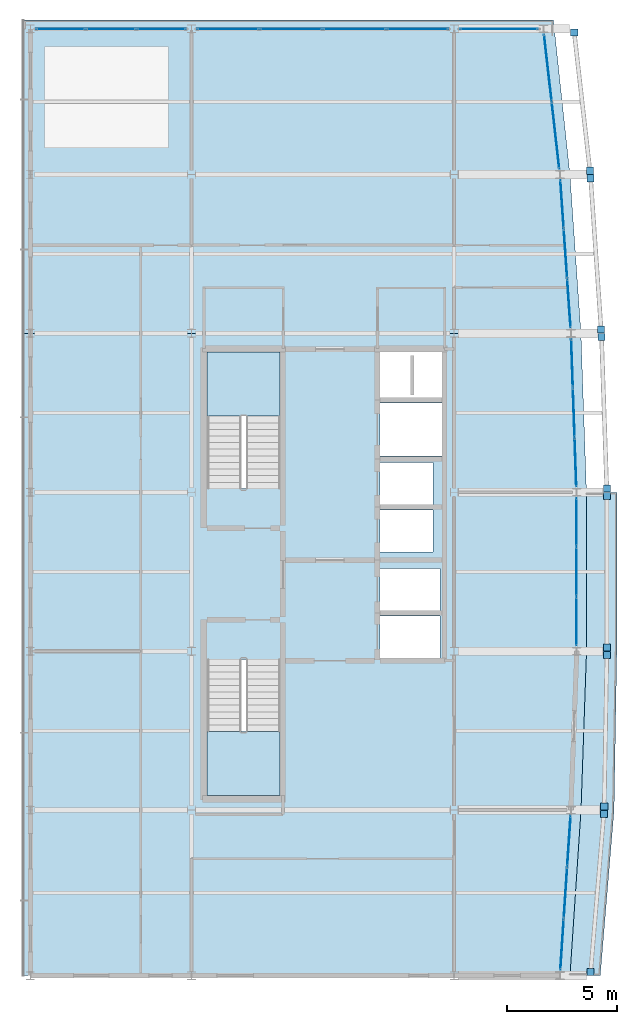
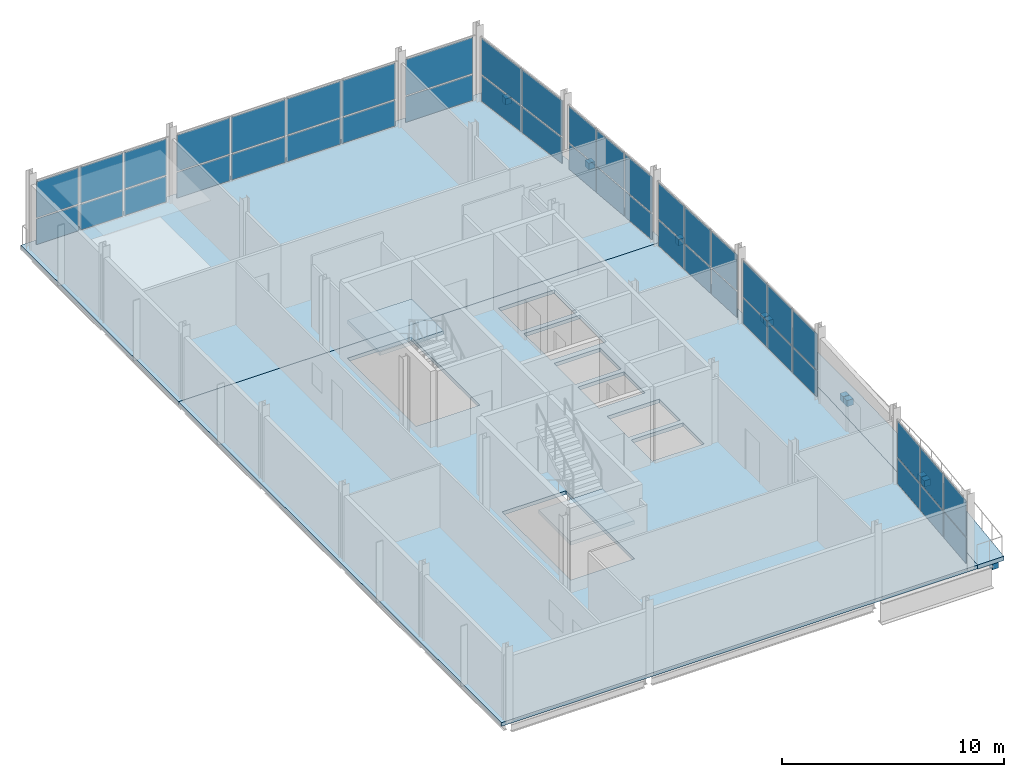
# One storey, part 10 of 17: 56 plates, 5 slabs, 10 elements without a shape of their own.
"""IFC4 building model written with IfcOpenShell, lengths in metres."""

from ifc_helpers import new_model, si_unit, direction, frame, origin, origin_2d, place, context, subcontext, project, spatial, polyline, rectangle, outline, extrude, material, layer, layer_set, type_object, element, aggregate, save


model = new_model("IFC4")

# Units and contexts
model_context = context("Model", 3, precision=1e-05, world=origin(), true_north=direction((0.0, 1.0)))
body_context = subcontext(model_context, "Body", "Model", "MODEL_VIEW")
ifc_project = project(units=[si_unit("LENGTHUNIT", "METRE"), si_unit("AREAUNIT", "SQUARE_METRE"), si_unit("VOLUMEUNIT", "CUBIC_METRE"), si_unit("PLANEANGLEUNIT", "RADIAN"), si_unit("MASSUNIT", "GRAM", prefix="KILO")], contexts=[model_context])

# Site, building, storey
site_placement = place(None, origin())
site = spatial("IfcSite", under=ifc_project, at=site_placement, CompositionType="ELEMENT")
building_placement = place(site_placement, origin())
building = spatial("IfcBuilding", under=site, at=building_placement, Name="Quillay Park Conservatory", CompositionType="ELEMENT")
storey_placement = place(building_placement, frame((0.0, 0.0, 47.699951171875)))
storey = spatial("IfcBuildingStorey", under=building, at=storey_placement, Name="L11", CompositionType="ELEMENT", Elevation=47.699951171875)

# Curtain wall, plates
ifc_material_1 = material(Name="Thermally Broken Anodised Aluminium 6063-T6", Category="aluminium")
ifc_layer_1 = layer(ifc_material_1, 0.179931640625)
ifc_layer_set_1 = layer_set([ifc_layer_1], Name="UNITISED CURTAIN WALL TOWER (Thermally Broken Anodised Aluminium 6063-T6)")
curtain_wall_type = type_object("IfcCurtainWallType", Name="UNITISED CURTAIN WALL TOWER", PredefinedType="USERDEFINED", material=ifc_layer_set_1)
curtain_wall_1_placement = place(storey_placement, origin())
curtain_wall_1 = element("IfcCurtainWall", 1, at=curtain_wall_1_placement, inside=storey, type_object=curtain_wall_type, Name="L11 Unitised Curtain Wall 105", ObjectType="UNITISED CURTAIN WALL", PredefinedType="USERDEFINED")
ifc_material_2 = material(Name="Low-E Double Glazing (Laminated Tempered)", Category="glass")
ifc_layer_2 = layer(ifc_material_2, 0.028076171875)
ifc_layer_set_2 = layer_set([ifc_layer_2], Name="CURTAIN WALL GLAZED PANEL 28 (Low-E Double Glazing (Laminated Tempered))")
plate_type_1 = type_object("IfcPlateType", Name="CURTAIN WALL GLAZED PANEL 28", PredefinedType="CURTAIN_PANEL", material=ifc_layer_set_2)
plate_1_placement = place(storey_placement, frame((24.95654296875, 76.599365234375, 0.0703125), z_axis=(0.0, 0.0, 1.0), x_axis=(-0.0665208758, -0.997785033503, 0.0)))
plate_1 = element("IfcPlate", 2, at=plate_1_placement, type_object=plate_type_1, Name="CW-T1 panel 1.1", PredefinedType="CURTAIN_PANEL", context=body_context, shape_type="SweptSolid", body=[
    extrude(rectangle(XDim=2.26708984375, YDim=0.028076171875, at=origin_2d()), origin(), (0.0, 0.0, 1.0), 1.406494140625),
])
plate_2_placement = place(storey_placement, frame((24.95654296875, 76.599365234375, 1.546630859375), z_axis=(0.0, 0.0, 1.0), x_axis=(-0.0665208758, -0.997785033503, 0.0)))
plate_2 = element("IfcPlate", 3, at=plate_2_placement, type_object=plate_type_1, Name="CW-T1 panel 1.2", PredefinedType="CURTAIN_PANEL", context=body_context, shape_type="SweptSolid", body=[
    extrude(rectangle(XDim=2.26708984375, YDim=0.028076171875, at=origin_2d()), origin(), (0.0, 0.0, 1.0), 1.982421875),
])
plate_3_placement = place(storey_placement, frame((24.800048828125, 74.25, 0.0703125), z_axis=(0.0, 0.0, 1.0), x_axis=(-0.0665208758, -0.997785033503, 0.0)))
plate_3 = element("IfcPlate", 4, at=plate_3_placement, type_object=plate_type_1, Name="CW-T1 panel 2.1", PredefinedType="CURTAIN_PANEL", context=body_context, shape_type="SweptSolid", body=[
    extrude(rectangle(XDim=2.30224609375, YDim=0.028076171875, at=origin_2d()), origin(), (0.0, 0.0, 1.0), 1.406494140625),
])
plate_4_placement = place(storey_placement, frame((24.800048828125, 74.25, 1.546630859375), z_axis=(0.0, 0.0, 1.0), x_axis=(-0.0665208758, -0.997785033503, 0.0)))
plate_4 = element("IfcPlate", 5, at=plate_4_placement, type_object=plate_type_1, Name="CW-T1 panel 2.2", PredefinedType="CURTAIN_PANEL", context=body_context, shape_type="SweptSolid", body=[
    extrude(rectangle(XDim=2.30224609375, YDim=0.028076171875, at=origin_2d()), origin(), (0.0, 0.0, 1.0), 1.982421875),
])
plate_5_placement = place(storey_placement, frame((24.643310546875, 71.900634765625, 0.0703125), z_axis=(0.0, 0.0, 1.0), x_axis=(-0.0665208758, -0.997785033503, 0.0)))
plate_5 = element("IfcPlate", 6, at=plate_5_placement, type_object=plate_type_1, Name="CW-T1 panel 3.1", PredefinedType="CURTAIN_PANEL", context=body_context, shape_type="SweptSolid", body=[
    extrude(rectangle(XDim=2.26708984375, YDim=0.028076171875, at=origin_2d()), origin(), (0.0, 0.0, 1.0), 1.406494140625),
])
plate_6_placement = place(storey_placement, frame((24.643310546875, 71.900634765625, 1.546630859375), z_axis=(0.0, 0.0, 1.0), x_axis=(-0.0665208758, -0.997785033503, 0.0)))
plate_6 = element("IfcPlate", 7, at=plate_6_placement, type_object=plate_type_1, Name="CW-T1 panel 3.2", PredefinedType="CURTAIN_PANEL", context=body_context, shape_type="SweptSolid", body=[
    extrude(rectangle(XDim=2.26708984375, YDim=0.028076171875, at=origin_2d()), origin(), (0.0, 0.0, 1.0), 1.982421875),
])
aggregate(curtain_wall_1, [plate_1, plate_2, plate_3, plate_4, plate_5, plate_6])

curtain_wall_2_placement = place(storey_placement, origin())
curtain_wall_2 = element("IfcCurtainWall", 8, at=curtain_wall_2_placement, inside=storey, type_object=curtain_wall_type, Name="L11 Unitised Curtain Wall 106", ObjectType="UNITISED CURTAIN WALL", PredefinedType="USERDEFINED")
plate_7_placement = place(storey_placement, frame((25.300048828125, 91.049072265625, 0.0703125), z_axis=(0.0, 0.0, 1.0), x_axis=(0.0, -1.0, 0.0)))
plate_7 = element("IfcPlate", 9, at=plate_7_placement, type_object=plate_type_1, Name="CW-T1 panel 1.1", PredefinedType="CURTAIN_PANEL", context=body_context, shape_type="SweptSolid", body=[
    extrude(rectangle(XDim=2.16162109375, YDim=0.028076171875, at=origin_2d()), origin(), (0.0, 0.0, 1.0), 1.406494140625),
])
plate_8_placement = place(storey_placement, frame((25.300048828125, 91.049072265625, 1.546630859375), z_axis=(0.0, 0.0, 1.0), x_axis=(0.0, -1.0, 0.0)))
plate_8 = element("IfcPlate", 10, at=plate_8_placement, type_object=plate_type_1, Name="CW-T1 panel 1.2", PredefinedType="CURTAIN_PANEL", context=body_context, shape_type="SweptSolid", body=[
    extrude(rectangle(XDim=2.16162109375, YDim=0.028076171875, at=origin_2d()), origin(), (0.0, 0.0, 1.0), 1.982421875),
])
plate_9_placement = place(storey_placement, frame((25.300048828125, 88.800048828125, 0.0703125), z_axis=(0.0, 0.0, 1.0), x_axis=(0.0, -1.0, 0.0)))
plate_9 = element("IfcPlate", 11, at=plate_9_placement, type_object=plate_type_1, Name="CW-T1 panel 2.1", PredefinedType="CURTAIN_PANEL", context=body_context, shape_type="SweptSolid", body=[
    extrude(rectangle(XDim=2.19677734375, YDim=0.028076171875, at=origin_2d()), origin(), (0.0, 0.0, 1.0), 1.406494140625),
])
plate_10_placement = place(storey_placement, frame((25.300048828125, 88.800048828125, 1.546630859375), z_axis=(0.0, 0.0, 1.0), x_axis=(0.0, -1.0, 0.0)))
plate_10 = element("IfcPlate", 12, at=plate_10_placement, type_object=plate_type_1, Name="CW-T1 panel 2.2", PredefinedType="CURTAIN_PANEL", context=body_context, shape_type="SweptSolid", body=[
    extrude(rectangle(XDim=2.19677734375, YDim=0.028076171875, at=origin_2d()), origin(), (0.0, 0.0, 1.0), 1.982421875),
])
plate_11_placement = place(storey_placement, frame((25.300048828125, 86.55078125, 0.0703125), z_axis=(0.0, 0.0, 1.0), x_axis=(0.0, -1.0, 0.0)))
plate_11 = element("IfcPlate", 13, at=plate_11_placement, type_object=plate_type_1, Name="CW-T1 panel 3.1", PredefinedType="CURTAIN_PANEL", context=body_context, shape_type="SweptSolid", body=[
    extrude(rectangle(XDim=2.16162109375, YDim=0.028076171875, at=origin_2d()), origin(), (0.0, 0.0, 1.0), 1.406494140625),
])
plate_12_placement = place(storey_placement, frame((25.300048828125, 86.55078125, 1.546630859375), z_axis=(0.0, 0.0, 1.0), x_axis=(0.0, -1.0, 0.0)))
plate_12 = element("IfcPlate", 14, at=plate_12_placement, type_object=plate_type_1, Name="CW-T1 panel 3.2", PredefinedType="CURTAIN_PANEL", context=body_context, shape_type="SweptSolid", body=[
    extrude(rectangle(XDim=2.16162109375, YDim=0.028076171875, at=origin_2d()), origin(), (0.0, 0.0, 1.0), 1.982421875),
])
aggregate(curtain_wall_2, [plate_7, plate_8, plate_9, plate_10, plate_11, plate_12])

curtain_wall_3_placement = place(storey_placement, origin())
curtain_wall_3 = element("IfcCurtainWall", 15, at=curtain_wall_3_placement, inside=storey, type_object=curtain_wall_type, Name="L11 Unitised Curtain Wall 107", ObjectType="UNITISED CURTAIN WALL", PredefinedType="USERDEFINED")
plate_13_placement = place(storey_placement, frame((25.096923828125, 98.249267578125, 0.0703125), z_axis=(0.0, 0.0, 1.0), x_axis=(0.034713338537, -0.999397310446, 0.0)))
plate_13 = element("IfcPlate", 16, at=plate_13_placement, type_object=plate_type_1, Name="CW-T1 panel 1.1", PredefinedType="CURTAIN_PANEL", context=body_context, shape_type="SweptSolid", body=[
    extrude(rectangle(XDim=2.1630859375, YDim=0.028076171875, at=origin_2d()), origin(), (0.0, 0.0, 1.0), 1.406494140625),
])
plate_14_placement = place(storey_placement, frame((25.096923828125, 98.249267578125, 1.546630859375), z_axis=(0.0, 0.0, 1.0), x_axis=(0.034713338537, -0.999397310446, 0.0)))
plate_14 = element("IfcPlate", 17, at=plate_14_placement, type_object=plate_type_1, Name="CW-T1 panel 1.2", PredefinedType="CURTAIN_PANEL", context=body_context, shape_type="SweptSolid", body=[
    extrude(rectangle(XDim=2.1630859375, YDim=0.028076171875, at=origin_2d()), origin(), (0.0, 0.0, 1.0), 1.982421875),
])
plate_15_placement = place(storey_placement, frame((25.175048828125, 96.0, 0.0703125), z_axis=(0.0, 0.0, 1.0), x_axis=(0.034713338537, -0.999397310446, 0.0)))
plate_15 = element("IfcPlate", 18, at=plate_15_placement, type_object=plate_type_1, Name="CW-T1 panel 2.1", PredefinedType="CURTAIN_PANEL", context=body_context, shape_type="SweptSolid", body=[
    extrude(rectangle(XDim=2.197998046875, YDim=0.028076171875, at=origin_2d()), origin(), (0.0, 0.0, 1.0), 1.406494140625),
])
plate_16_placement = place(storey_placement, frame((25.175048828125, 96.0, 1.546630859375), z_axis=(0.0, 0.0, 1.0), x_axis=(0.034713338537, -0.999397310446, 0.0)))
plate_16 = element("IfcPlate", 19, at=plate_16_placement, type_object=plate_type_1, Name="CW-T1 panel 2.2", PredefinedType="CURTAIN_PANEL", context=body_context, shape_type="SweptSolid", body=[
    extrude(rectangle(XDim=2.197998046875, YDim=0.028076171875, at=origin_2d()), origin(), (0.0, 0.0, 1.0), 1.982421875),
])
plate_17_placement = place(storey_placement, frame((25.253173828125, 93.750732421875, 0.0703125), z_axis=(0.0, 0.0, 1.0), x_axis=(0.034713338537, -0.999397310446, 0.0)))
plate_17 = element("IfcPlate", 20, at=plate_17_placement, type_object=plate_type_1, Name="CW-T1 panel 3.1", PredefinedType="CURTAIN_PANEL", context=body_context, shape_type="SweptSolid", body=[
    extrude(rectangle(XDim=2.1630859375, YDim=0.028076171875, at=origin_2d()), origin(), (0.0, 0.0, 1.0), 1.406494140625),
])
plate_18_placement = place(storey_placement, frame((25.253173828125, 93.750732421875, 1.546630859375), z_axis=(0.0, 0.0, 1.0), x_axis=(0.034713338537, -0.999397310446, 0.0)))
plate_18 = element("IfcPlate", 21, at=plate_18_placement, type_object=plate_type_1, Name="CW-T1 panel 3.2", PredefinedType="CURTAIN_PANEL", context=body_context, shape_type="SweptSolid", body=[
    extrude(rectangle(XDim=2.1630859375, YDim=0.028076171875, at=origin_2d()), origin(), (0.0, 0.0, 1.0), 1.982421875),
])
aggregate(curtain_wall_3, [plate_13, plate_14, plate_15, plate_16, plate_17, plate_18])

curtain_wall_4_placement = place(storey_placement, origin())
curtain_wall_4 = element("IfcCurtainWall", 22, at=curtain_wall_4_placement, inside=storey, type_object=curtain_wall_type, Name="L11 Unitised Curtain Wall 108", ObjectType="UNITISED CURTAIN WALL", PredefinedType="USERDEFINED")
plate_19_placement = place(storey_placement, frame((24.643798828125, 105.449462890625, 0.0703125), z_axis=(0.0, 0.0, 1.0), x_axis=(0.069264217159, -0.99759835015, 0.0)))
plate_19 = element("IfcPlate", 23, at=plate_19_placement, type_object=plate_type_1, Name="CW-T1 panel 1.1", PredefinedType="CURTAIN_PANEL", context=body_context, shape_type="SweptSolid", body=[
    extrude(rectangle(XDim=2.16748046875, YDim=0.028076171875, at=origin_2d()), origin(), (0.0, 0.0, 1.0), 1.406494140625),
])
plate_20_placement = place(storey_placement, frame((24.643798828125, 105.449462890625, 1.546630859375), z_axis=(0.0, 0.0, 1.0), x_axis=(0.069264217159, -0.99759835015, 0.0)))
plate_20 = element("IfcPlate", 24, at=plate_20_placement, type_object=plate_type_1, Name="CW-T1 panel 1.2", PredefinedType="CURTAIN_PANEL", context=body_context, shape_type="SweptSolid", body=[
    extrude(rectangle(XDim=2.16748046875, YDim=0.028076171875, at=origin_2d()), origin(), (0.0, 0.0, 1.0), 1.982421875),
])
plate_21_placement = place(storey_placement, frame((24.800048828125, 103.199951171875, 0.0703125), z_axis=(0.0, 0.0, 1.0), x_axis=(0.069264217159, -0.99759835015, 0.0)))
plate_21 = element("IfcPlate", 25, at=plate_21_placement, type_object=plate_type_1, Name="CW-T1 panel 2.1", PredefinedType="CURTAIN_PANEL", context=body_context, shape_type="SweptSolid", body=[
    extrude(rectangle(XDim=2.202392578125, YDim=0.028076171875, at=origin_2d()), origin(), (0.0, 0.0, 1.0), 1.406494140625),
])
plate_22_placement = place(storey_placement, frame((24.800048828125, 103.199951171875, 1.546630859375), z_axis=(0.0, 0.0, 1.0), x_axis=(0.069264217159, -0.99759835015, 0.0)))
plate_22 = element("IfcPlate", 26, at=plate_22_placement, type_object=plate_type_1, Name="CW-T1 panel 2.2", PredefinedType="CURTAIN_PANEL", context=body_context, shape_type="SweptSolid", body=[
    extrude(rectangle(XDim=2.202392578125, YDim=0.028076171875, at=origin_2d()), origin(), (0.0, 0.0, 1.0), 1.982421875),
])
plate_23_placement = place(storey_placement, frame((24.956298828125, 100.950439453125, 0.0703125), z_axis=(0.0, 0.0, 1.0), x_axis=(0.069264217159, -0.99759835015, 0.0)))
plate_23 = element("IfcPlate", 27, at=plate_23_placement, type_object=plate_type_1, Name="CW-T1 panel 3.1", PredefinedType="CURTAIN_PANEL", context=body_context, shape_type="SweptSolid", body=[
    extrude(rectangle(XDim=2.16748046875, YDim=0.028076171875, at=origin_2d()), origin(), (0.0, 0.0, 1.0), 1.406494140625),
])
plate_24_placement = place(storey_placement, frame((24.956298828125, 100.950439453125, 1.546630859375), z_axis=(0.0, 0.0, 1.0), x_axis=(0.069264217159, -0.99759835015, 0.0)))
plate_24 = element("IfcPlate", 28, at=plate_24_placement, type_object=plate_type_1, Name="CW-T1 panel 3.2", PredefinedType="CURTAIN_PANEL", context=body_context, shape_type="SweptSolid", body=[
    extrude(rectangle(XDim=2.16748046875, YDim=0.028076171875, at=origin_2d()), origin(), (0.0, 0.0, 1.0), 1.982421875),
])
aggregate(curtain_wall_4, [plate_19, plate_20, plate_21, plate_22, plate_23, plate_24])

curtain_wall_5_placement = place(storey_placement, origin())
curtain_wall_5 = element("IfcCurtainWall", 29, at=curtain_wall_5_placement, inside=storey, type_object=curtain_wall_type, Name="L11 Unitised Curtain Wall 109", ObjectType="UNITISED CURTAIN WALL", PredefinedType="USERDEFINED")
plate_25_placement = place(storey_placement, frame((24.000732421875, 111.63330078125, 0.0703125), z_axis=(0.0, 0.0, 1.0), x_axis=(0.112903218278, -0.993605989969, 0.0)))
plate_25 = element("IfcPlate", 30, at=plate_25_placement, type_object=plate_type_1, Name="CW-T1 panel 1.1", PredefinedType="CURTAIN_PANEL", context=body_context, shape_type="SweptSolid", body=[
    extrude(rectangle(XDim=3.016357421875, YDim=0.028076171875, at=origin_2d()), origin(), (0.0, 0.0, 1.0), 1.406494140625),
])
plate_26_placement = place(storey_placement, frame((24.000732421875, 111.63330078125, 1.546630859375), z_axis=(0.0, 0.0, 1.0), x_axis=(0.112903218278, -0.993605989969, 0.0)))
plate_26 = element("IfcPlate", 31, at=plate_26_placement, type_object=plate_type_1, Name="CW-T1 panel 1.2", PredefinedType="CURTAIN_PANEL", context=body_context, shape_type="SweptSolid", body=[
    extrude(rectangle(XDim=3.016357421875, YDim=0.028076171875, at=origin_2d()), origin(), (0.0, 0.0, 1.0), 1.982421875),
])
plate_27_placement = place(storey_placement, frame((24.34912109375, 108.566650390625, 0.0703125), z_axis=(0.0, 0.0, 1.0), x_axis=(0.112903218278, -0.993605989969, 0.0)))
plate_27 = element("IfcPlate", 32, at=plate_27_placement, type_object=plate_type_1, Name="CW-T1 panel 2.1", PredefinedType="CURTAIN_PANEL", context=body_context, shape_type="SweptSolid", body=[
    extrude(rectangle(XDim=3.016357421875, YDim=0.028076171875, at=origin_2d()), origin(), (0.0, 0.0, 1.0), 1.406494140625),
])
plate_28_placement = place(storey_placement, frame((24.34912109375, 108.566650390625, 1.546630859375), z_axis=(0.0, 0.0, 1.0), x_axis=(0.112903218278, -0.993605989969, 0.0)))
plate_28 = element("IfcPlate", 33, at=plate_28_placement, type_object=plate_type_1, Name="CW-T1 panel 2.2", PredefinedType="CURTAIN_PANEL", context=body_context, shape_type="SweptSolid", body=[
    extrude(rectangle(XDim=3.016357421875, YDim=0.028076171875, at=origin_2d()), origin(), (0.0, 0.0, 1.0), 1.982421875),
])
aggregate(curtain_wall_5, [plate_25, plate_26, plate_27, plate_28])

curtain_wall_6_placement = place(storey_placement, origin())
curtain_wall_6 = element("IfcCurtainWall", 34, at=curtain_wall_6_placement, inside=storey, type_object=curtain_wall_type, Name="L11 Unitised Curtain Wall 110", ObjectType="UNITISED CURTAIN WALL", PredefinedType="USERDEFINED")
plate_29_placement = place(storey_placement, frame((1.91748046875, 113.39990234375, 0.0703125), z_axis=(0.0, 0.0, 1.0), x_axis=(1.0, 0.0, 0.0)))
plate_29 = element("IfcPlate", 35, at=plate_29_placement, type_object=plate_type_1, Name="CW-T1 panel 1.1", PredefinedType="CURTAIN_PANEL", context=body_context, shape_type="SweptSolid", body=[
    extrude(rectangle(XDim=2.195068359375, YDim=0.028076171875, at=origin_2d()), origin(), (0.0, 0.0, 1.0), 1.406494140625),
])
plate_30_placement = place(storey_placement, frame((1.91748046875, 113.39990234375, 1.546630859375), z_axis=(0.0, 0.0, 1.0), x_axis=(1.0, 0.0, 0.0)))
plate_30 = element("IfcPlate", 36, at=plate_30_placement, type_object=plate_type_1, Name="CW-T1 panel 1.2", PredefinedType="CURTAIN_PANEL", context=body_context, shape_type="SweptSolid", body=[
    extrude(rectangle(XDim=2.195068359375, YDim=0.028076171875, at=origin_2d()), origin(), (0.0, 0.0, 1.0), 1.982421875),
])
plate_31_placement = place(storey_placement, frame((4.199951171875, 113.39990234375, 0.0703125), z_axis=(0.0, 0.0, 1.0), x_axis=(1.0, 0.0, 0.0)))
plate_31 = element("IfcPlate", 37, at=plate_31_placement, type_object=plate_type_1, Name="CW-T1 panel 2.1", PredefinedType="CURTAIN_PANEL", context=body_context, shape_type="SweptSolid", body=[
    extrude(rectangle(XDim=2.22998046875, YDim=0.028076171875, at=origin_2d()), origin(), (0.0, 0.0, 1.0), 1.406494140625),
])
plate_32_placement = place(storey_placement, frame((4.199951171875, 113.39990234375, 1.546630859375), z_axis=(0.0, 0.0, 1.0), x_axis=(1.0, 0.0, 0.0)))
plate_32 = element("IfcPlate", 38, at=plate_32_placement, type_object=plate_type_1, Name="CW-T1 panel 2.2", PredefinedType="CURTAIN_PANEL", context=body_context, shape_type="SweptSolid", body=[
    extrude(rectangle(XDim=2.22998046875, YDim=0.028076171875, at=origin_2d()), origin(), (0.0, 0.0, 1.0), 1.982421875),
])
plate_33_placement = place(storey_placement, frame((6.482421875, 113.39990234375, 0.0703125), z_axis=(0.0, 0.0, 1.0), x_axis=(1.0, 0.0, 0.0)))
plate_33 = element("IfcPlate", 39, at=plate_33_placement, type_object=plate_type_1, Name="CW-T1 panel 3.1", PredefinedType="CURTAIN_PANEL", context=body_context, shape_type="SweptSolid", body=[
    extrude(rectangle(XDim=2.195068359375, YDim=0.028076171875, at=origin_2d()), origin(), (0.0, 0.0, 1.0), 1.406494140625),
])
plate_34_placement = place(storey_placement, frame((6.482421875, 113.39990234375, 1.546630859375), z_axis=(0.0, 0.0, 1.0), x_axis=(1.0, 0.0, 0.0)))
plate_34 = element("IfcPlate", 40, at=plate_34_placement, type_object=plate_type_1, Name="CW-T1 panel 3.2", PredefinedType="CURTAIN_PANEL", context=body_context, shape_type="SweptSolid", body=[
    extrude(rectangle(XDim=2.195068359375, YDim=0.028076171875, at=origin_2d()), origin(), (0.0, 0.0, 1.0), 1.982421875),
])
aggregate(curtain_wall_6, [plate_29, plate_30, plate_31, plate_32, plate_33, plate_34])

curtain_wall_7_placement = place(storey_placement, origin())
curtain_wall_7 = element("IfcCurtainWall", 41, at=curtain_wall_7_placement, inside=storey, type_object=curtain_wall_type, Name="L11 Unitised Curtain Wall 111", ObjectType="UNITISED CURTAIN WALL", PredefinedType="USERDEFINED")
plate_35_placement = place(storey_placement, frame((9.5048828125, 113.39990234375, 0.0703125), z_axis=(0.0, 0.0, 1.0), x_axis=(1.0, 0.0, 0.0)))
plate_35 = element("IfcPlate", 42, at=plate_35_placement, type_object=plate_type_1, Name="CW-T1 panel 1.1", PredefinedType="CURTAIN_PANEL", context=body_context, shape_type="SweptSolid", body=[
    extrude(rectangle(XDim=2.77001953125, YDim=0.028076171875, at=origin_2d()), origin(), (0.0, 0.0, 1.0), 1.406494140625),
])
plate_36_placement = place(storey_placement, frame((9.5048828125, 113.39990234375, 1.546630859375), z_axis=(0.0, 0.0, 1.0), x_axis=(1.0, 0.0, 0.0)))
plate_36 = element("IfcPlate", 43, at=plate_36_placement, type_object=plate_type_1, Name="CW-T1 panel 1.2", PredefinedType="CURTAIN_PANEL", context=body_context, shape_type="SweptSolid", body=[
    extrude(rectangle(XDim=2.77001953125, YDim=0.028076171875, at=origin_2d()), origin(), (0.0, 0.0, 1.0), 1.982421875),
])
plate_37_placement = place(storey_placement, frame((12.362548828125, 113.39990234375, 0.0703125), z_axis=(0.0, 0.0, 1.0), x_axis=(1.0, 0.0, 0.0)))
plate_37 = element("IfcPlate", 44, at=plate_37_placement, type_object=plate_type_1, Name="CW-T1 panel 2.1", PredefinedType="CURTAIN_PANEL", context=body_context, shape_type="SweptSolid", body=[
    extrude(rectangle(XDim=2.804931640625, YDim=0.028076171875, at=origin_2d()), origin(), (0.0, 0.0, 1.0), 1.406494140625),
])
plate_38_placement = place(storey_placement, frame((12.362548828125, 113.39990234375, 1.546630859375), z_axis=(0.0, 0.0, 1.0), x_axis=(1.0, 0.0, 0.0)))
plate_38 = element("IfcPlate", 45, at=plate_38_placement, type_object=plate_type_1, Name="CW-T1 panel 2.2", PredefinedType="CURTAIN_PANEL", context=body_context, shape_type="SweptSolid", body=[
    extrude(rectangle(XDim=2.804931640625, YDim=0.028076171875, at=origin_2d()), origin(), (0.0, 0.0, 1.0), 1.982421875),
])
plate_39_placement = place(storey_placement, frame((15.237548828125, 113.39990234375, 0.0703125), z_axis=(0.0, 0.0, 1.0), x_axis=(1.0, 0.0, 0.0)))
plate_39 = element("IfcPlate", 46, at=plate_39_placement, type_object=plate_type_1, Name="CW-T1 panel 3.1", PredefinedType="CURTAIN_PANEL", context=body_context, shape_type="SweptSolid", body=[
    extrude(rectangle(XDim=2.804931640625, YDim=0.028076171875, at=origin_2d()), origin(), (0.0, 0.0, 1.0), 1.406494140625),
])
plate_40_placement = place(storey_placement, frame((15.237548828125, 113.39990234375, 1.546630859375), z_axis=(0.0, 0.0, 1.0), x_axis=(1.0, 0.0, 0.0)))
plate_40 = element("IfcPlate", 47, at=plate_40_placement, type_object=plate_type_1, Name="CW-T1 panel 3.2", PredefinedType="CURTAIN_PANEL", context=body_context, shape_type="SweptSolid", body=[
    extrude(rectangle(XDim=2.804931640625, YDim=0.028076171875, at=origin_2d()), origin(), (0.0, 0.0, 1.0), 1.982421875),
])
plate_41_placement = place(storey_placement, frame((18.094970703125, 113.39990234375, 0.0703125), z_axis=(0.0, 0.0, 1.0), x_axis=(1.0, 0.0, 0.0)))
plate_41 = element("IfcPlate", 48, at=plate_41_placement, type_object=plate_type_1, Name="CW-T1 panel 4.1", PredefinedType="CURTAIN_PANEL", context=body_context, shape_type="SweptSolid", body=[
    extrude(rectangle(XDim=2.77001953125, YDim=0.028076171875, at=origin_2d()), origin(), (0.0, 0.0, 1.0), 1.406494140625),
])
plate_42_placement = place(storey_placement, frame((18.094970703125, 113.39990234375, 1.546630859375), z_axis=(0.0, 0.0, 1.0), x_axis=(1.0, 0.0, 0.0)))
plate_42 = element("IfcPlate", 49, at=plate_42_placement, type_object=plate_type_1, Name="CW-T1 panel 4.2", PredefinedType="CURTAIN_PANEL", context=body_context, shape_type="SweptSolid", body=[
    extrude(rectangle(XDim=2.77001953125, YDim=0.028076171875, at=origin_2d()), origin(), (0.0, 0.0, 1.0), 1.982421875),
])
aggregate(curtain_wall_7, [plate_35, plate_36, plate_37, plate_38, plate_39, plate_40, plate_41, plate_42])

curtain_wall_8_placement = place(storey_placement, origin())
curtain_wall_8 = element("IfcCurtainWall", 50, at=curtain_wall_8_placement, inside=storey, type_object=curtain_wall_type, Name="L11 Unitised Curtain Wall 112", ObjectType="UNITISED CURTAIN WALL", PredefinedType="USERDEFINED")
plate_43_placement = place(storey_placement, frame((21.77490234375, 113.39990234375, 0.0703125), z_axis=(0.0, 0.0, 1.0), x_axis=(1.0, 0.0, 0.0)))
plate_43 = element("IfcPlate", 51, at=plate_43_placement, type_object=plate_type_1, Name="CW-T1 panel 1.1", PredefinedType="CURTAIN_PANEL", context=body_context, shape_type="SweptSolid", body=[
    extrude(rectangle(XDim=3.510009765625, YDim=0.028076171875, at=origin_2d()), origin(), (0.0, 0.0, 1.0), 1.406494140625),
])
plate_44_placement = place(storey_placement, frame((21.77490234375, 113.39990234375, 1.546630859375), z_axis=(0.0, 0.0, 1.0), x_axis=(1.0, 0.0, 0.0)))
plate_44 = element("IfcPlate", 52, at=plate_44_placement, type_object=plate_type_1, Name="CW-T1 panel 1.2", PredefinedType="CURTAIN_PANEL", context=body_context, shape_type="SweptSolid", body=[
    extrude(rectangle(XDim=3.510009765625, YDim=0.028076171875, at=origin_2d()), origin(), (0.0, 0.0, 1.0), 1.982421875),
])
aggregate(curtain_wall_8, [plate_43, plate_44])

# Plates
ifc_material_3 = material(Name="Steel S355J2H", Category="steel")
ifc_layer_3 = layer(ifc_material_3, 0.02392578125)
ifc_layer_set_3 = layer_set([ifc_layer_3], Name="HOLLOW END CAP PLATE 320 X220 (Steel S355J2H)")
plate_type_2 = type_object("IfcPlateType", Name="HOLLOW END CAP PLATE 320 X220", PredefinedType="USERDEFINED", material=ifc_layer_set_3)
for number, where, z_axis, x_axis, name in (
    (53, (25.939208984375, 70.67041015625, -0.546875), (0.0, 0.0, 1.0), (1.0, 0.0, 0.0), "Hollow steel end cap ECP-0113"),
    (54, (26.535888671875, 77.82958984375, -0.546875), (0.0, 0.0, 1.0), (1.0, 0.0, 0.0), "Hollow steel end cap ECP-0114"),
    (55, (26.552978515625, 78.1708984375, -0.546875), (0.0, 0.0, 1.0), (1.0, 0.0, 0.0), "Hollow steel end cap ECP-0115"),
    (56, (26.672119140625, 85.029052734375, -0.546875), (0.0, 0.0, 1.0), (1.0, 0.0, 0.0), "Hollow steel end cap ECP-0116"),
    (57, (26.675048828125, 85.37109375, -0.546875), (0.0, 0.0, 1.0), (1.0, 0.0, 0.0), "Hollow steel end cap ECP-0117"),
    (58, (26.675048828125, 92.22900390625, -0.546875), (0.0, 0.0, 1.0), (1.0, 0.0, 0.0), "Hollow steel end cap ECP-0118"),
    (59, (26.669189453125, 92.57080078125, -0.546875), (0.0, 0.0, 1.0), (1.0, 0.0, 0.0), "Hollow steel end cap ECP-0119"),
    (60, (26.430908203125, 99.42919921875, -0.546875), (0.0, 0.0, 1.0), (1.0, 0.0, 0.0), "Hollow steel end cap ECP-0120"),
    (61, (26.4130859375, 99.7705078125, -0.546875), (0.0, 0.0, 1.0), (1.0, 0.0, 0.0), "Hollow steel end cap ECP-0121"),
    (62, (25.936767578125, 106.62939453125, -0.546875), (0.0, 0.0, 1.0), (1.0, 0.0, 0.0), "Hollow steel end cap ECP-0122"),
    (63, (25.90576171875, 106.969970703125, -0.546875), (0.0, 0.0, 1.0), (1.0, 0.0, 0.0), "Hollow steel end cap ECP-0123"),
    (64, (25.1943359375, 113.22998046875, -0.546875), (0.0, 0.0, 1.0), (1.0, 0.0, 0.0), "Hollow steel end cap ECP-0124"),
):
    element("IfcPlate", number, at=place(storey_placement, frame(where, z_axis=z_axis, x_axis=x_axis)), inside=storey, type_object=plate_type_2, Name=name, ObjectType="FLANGE PLATE", PredefinedType="USERDEFINED", context=body_context, shape_type="SweptSolid", body=[
        extrude(rectangle(XDim=0.320068359375, YDim=0.320068359375, at=origin_2d()), origin(), (0.0, 0.0, 1.0), 0.343994140625),
    ])

# Slab
ifc_material_4 = material(Name="Concrete C35/45 (NCh170 Concrete C35/45)", Category="concrete")
ifc_layer_4 = layer(ifc_material_4, 0.22509765625)
ifc_layer_set_4 = layer_set([ifc_layer_4], Name="OUTDOOR TERRACE SLAB 225 (Concrete C35/45 (NCh170 Concrete C35/45))")
slab_type_1 = type_object("IfcSlabType", Name="OUTDOOR TERRACE SLAB 225", PredefinedType="FLOOR", material=ifc_layer_set_4)
slab_1_placement = place(storey_placement, frame((0.0, 0.0, -0.224853515625)))
element("IfcSlab", 65, at=slab_1_placement, inside=storey, type_object=slab_type_1, Name="L11 Botanical Sky Terrace Slab", PredefinedType="FLOOR", context=body_context, shape_type="SweptSolid", body=[
    extrude(outline(polyline([(25.0, 70.5), (25.5, 78.0), (25.75, 85.199951171875), (25.75, 92.39990234375), (27.125, 92.39990234375), (27.125, 85.199951171875), (27.0, 78.0), (26.375, 70.5), (25.0, 70.5)])), origin(), (0.0, 0.0, 1.0), 0.224853515625),
])

# Stair, slab
ifc_material_5 = material(Name="Concrete C35/45 (NCh170 Concrete C35/45)", Category="concrete")
stair_type = type_object("IfcStairType", Name="ENCLOSED DOG LEG STAIR 4200", PredefinedType="HALF_TURN_STAIR", material=ifc_material_5)
stair_1_placement = place(storey_placement, origin())
stair_1 = element("IfcStair", 66, at=stair_1_placement, inside=storey, type_object=stair_type, Name="L11 Tower Protected Exit Stair 1", PredefinedType="HALF_TURN_STAIR")
ifc_material_6 = material(Name="Concrete C35/45 (NCh170 Concrete C35/45)", Category="concrete")
ifc_layer_5 = layer(ifc_material_6, 0.199951171875)
ifc_layer_set_5 = layer_set([ifc_layer_5], Name="STAIR LANDING SLAB 200 (Concrete C35/45 (NCh170 Concrete C35/45))")
slab_type_2 = type_object("IfcSlabType", Name="STAIR LANDING SLAB 200", PredefinedType="LANDING", material=ifc_layer_set_5)
slab_2_placement = place(storey_placement, frame((0.0, 0.0, 1.900146484375)))
slab_2 = element("IfcSlab", 67, at=slab_2_placement, type_object=slab_type_2, Name="ST-T1 landing 1", PredefinedType="LANDING", context=body_context, shape_type="SweptSolid", body=[
    extrude(outline(polyline([(11.8701171875, 95.85009765625), (11.8701171875, 98.75), (8.550048828125, 98.75), (8.550048828125, 95.85009765625), (11.8701171875, 95.85009765625)])), origin(), (0.0, 0.0, 1.0), 0.199951171875),
])
aggregate(stair_1, [slab_2])

stair_2_placement = place(storey_placement, origin())
stair_2 = element("IfcStair", 68, at=stair_2_placement, inside=storey, type_object=stair_type, Name="L11 Tower Protected Exit Stair 2", PredefinedType="HALF_TURN_STAIR")
slab_3_placement = place(storey_placement, frame((0.0, 0.0, 1.900146484375)))
slab_3 = element("IfcSlab", 69, at=slab_3_placement, type_object=slab_type_2, Name="ST-T2 landing 1", PredefinedType="LANDING", context=body_context, shape_type="SweptSolid", body=[
    extrude(outline(polyline([(8.550048828125, 81.550048828125), (8.550048828125, 78.64990234375), (11.8701171875, 78.64990234375), (11.8701171875, 81.550048828125), (8.550048828125, 81.550048828125)])), origin(), (0.0, 0.0, 1.0), 0.199951171875),
])
aggregate(stair_2, [slab_3])

# Slabs
ifc_material_7 = material(Name="Concrete C35/45 (NCh170 Concrete C35/45)", Category="concrete")
ifc_layer_6 = layer(ifc_material_7, 0.199951171875)
ifc_layer_set_6 = layer_set([ifc_layer_6], Name="SUSPENDED FLOOR SLAB 180 (Concrete C35/45 (NCh170 Concrete C35/45))")
slab_type_3 = type_object("IfcSlabType", Name="SUSPENDED FLOOR SLAB 180", PredefinedType="FLOOR", material=ifc_layer_set_6)
slab_4_placement = place(storey_placement, frame((0.0, 0.0, -0.199951171875)))
element("IfcSlab", 70, at=slab_4_placement, inside=storey, type_object=slab_type_3, Name="L11 Research Tower South Chord Plate", PredefinedType="FLOOR", context=body_context, shape_type="SweptSolid", body=[
    extrude(outline(polyline([(0.25, 70.5), (25.0, 70.5), (25.5, 78.0), (25.75, 85.199951171875), (25.75, 92.39990234375), (25.5, 99.60009765625), (0.25, 99.60009765625), (0.25, 70.5)]), holes=[polyline([(8.550048828125, 92.580078125), (11.8701171875, 92.580078125), (11.8701171875, 98.75), (8.550048828125, 98.75), (8.550048828125, 92.580078125)]), polyline([(8.550048828125, 78.64990234375), (11.8701171875, 78.64990234375), (11.8701171875, 84.820068359375), (8.550048828125, 84.820068359375), (8.550048828125, 78.64990234375)]), polyline([(16.39990234375, 84.89990234375), (19.10009765625, 84.89990234375), (19.10009765625, 86.800048828125), (16.39990234375, 86.800048828125), (16.39990234375, 84.89990234375)]), polyline([(16.39990234375, 87.050048828125), (19.10009765625, 87.050048828125), (19.10009765625, 88.949951171875), (16.39990234375, 88.949951171875), (16.39990234375, 87.050048828125)]), polyline([(16.39990234375, 89.699951171875), (18.800048828125, 89.699951171875), (18.800048828125, 91.60009765625), (16.39990234375, 91.60009765625), (16.39990234375, 89.699951171875)]), polyline([(16.39990234375, 91.85009765625), (18.800048828125, 91.85009765625), (18.800048828125, 93.75), (16.39990234375, 93.75), (16.39990234375, 91.85009765625)]), polyline([(16.39990234375, 94.050048828125), (19.300048828125, 94.050048828125), (19.300048828125, 96.449951171875), (16.39990234375, 96.449951171875), (16.39990234375, 94.050048828125)]), polyline([(16.39990234375, 96.699951171875), (19.300048828125, 96.699951171875), (19.300048828125, 98.75), (16.39990234375, 98.75), (16.39990234375, 96.699951171875)])]), origin(), (0.0, 0.0, 1.0), 0.199951171875),
])
slab_5_placement = place(storey_placement, frame((0.0, 0.0, -0.199951171875)))
element("IfcSlab", 71, at=slab_5_placement, inside=storey, type_object=slab_type_3, Name="L11 Research Tower North Chord Plate", PredefinedType="FLOOR", context=body_context, shape_type="SweptSolid", body=[
    extrude(outline(polyline([(0.25, 99.60009765625), (25.5, 99.60009765625), (25.0, 106.800048828125), (24.25, 113.800048828125), (0.25, 113.800048828125), (0.25, 99.60009765625)])), origin(), (0.0, 0.0, 1.0), 0.199951171875),
])

save(model, "model.ifc")
